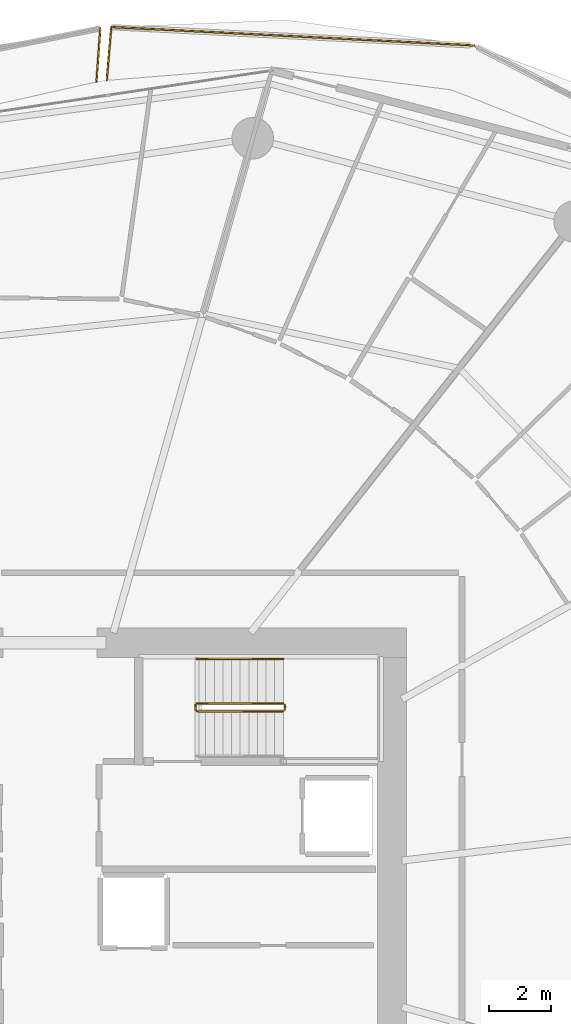
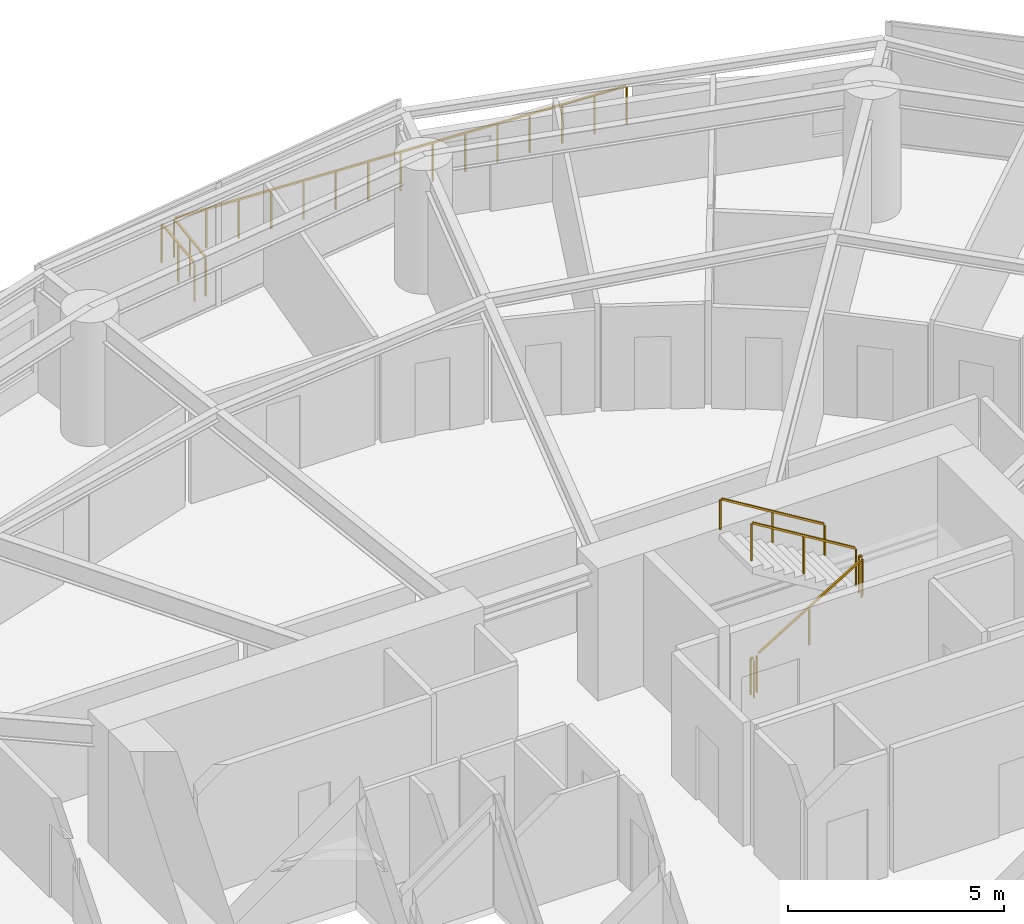
# One storey, part 30 of 31: 8 railings.
"""IFC4 building model written with IfcOpenShell, lengths in metres."""

from ifc_helpers import new_model, si_unit, direction, frame, origin, origin_2d, place, context, subcontext, project, spatial, rectangle, extrude, material, type_object, element, save


model = new_model("IFC4")

# Units and contexts
model_context = context("Model", 3, precision=1e-05, world=origin(), true_north=direction((0.0, 1.0)))
body_context = subcontext(model_context, "Body", "Model", "MODEL_VIEW")
ifc_project = project(units=[si_unit("LENGTHUNIT", "METRE"), si_unit("AREAUNIT", "SQUARE_METRE"), si_unit("VOLUMEUNIT", "CUBIC_METRE"), si_unit("PLANEANGLEUNIT", "RADIAN"), si_unit("MASSUNIT", "GRAM", prefix="KILO")], contexts=[model_context])

# Site, building, storey
site_placement = place(None, origin())
site = spatial("IfcSite", under=ifc_project, at=site_placement, CompositionType="ELEMENT")
building_placement = place(site_placement, origin())
building = spatial("IfcBuilding", under=site, at=building_placement, Name="Kazma Halo Residences", CompositionType="ELEMENT")
storey_placement = place(building_placement, frame((0.0, 0.0, 52.64990234375)))
storey = spatial("IfcBuildingStorey", under=building, at=storey_placement, Name="L12", CompositionType="ELEMENT", Elevation=52.64990234375)

# Railings
ifc_material_1 = material(Name="Aluminium AW-6063 T6 Brushed Cap Rail", Category="aluminium")
railing_type_1 = type_object("IfcRailingType", Name="RLG-BAL-CAP-1120", PredefinedType="BALUSTRADE", material=ifc_material_1)
railing_1_placement = place(storey_placement, frame((62.196044921875, 69.861328125, 0.0)))
element("IfcRailing", 1, at=railing_1_placement, inside=storey, type_object=railing_type_1, Name="L12 NE wave balcony guard 3", PredefinedType="BALUSTRADE", context=body_context, shape_type="SweptSolid", body=[
    extrude(rectangle(XDim=0.050048828125, YDim=0.050048828125, at=origin_2d()), frame((-0.04248046875, 0.002197265625, 1.09521484375), z_axis=(-0.998712596491, 0.050726222107, 0.0), x_axis=(-0.050726222107, -0.998712596491, 0.0)), (0.0, 0.0, 1.0), 11.71142578125),
    extrude(rectangle(XDim=0.0400390625, YDim=0.0400390625, at=origin_2d()), origin(), (0.0, 0.0, 1.0), 1.05810546875),
    extrude(rectangle(XDim=0.0400390625, YDim=0.0400390625, at=origin_2d()), frame((-0.841552734375, 0.042724609375, 0.0)), (0.0, 0.0, 1.0), 1.05810546875),
    extrude(rectangle(XDim=0.0400390625, YDim=0.0400390625, at=origin_2d()), frame((-1.68310546875, 0.08544921875, 0.0)), (0.0, 0.0, 1.0), 1.05810546875),
    extrude(rectangle(XDim=0.0400390625, YDim=0.0400390625, at=origin_2d()), frame((-2.524658203125, 0.128173828125, 0.0)), (0.0, 0.0, 1.0), 1.05810546875),
    extrude(rectangle(XDim=0.0400390625, YDim=0.0400390625, at=origin_2d()), frame((-3.365966796875, 0.1708984375, 0.0)), (0.0, 0.0, 1.0), 1.05810546875),
    extrude(rectangle(XDim=0.0400390625, YDim=0.0400390625, at=origin_2d()), frame((-4.20751953125, 0.213623046875, 0.0)), (0.0, 0.0, 1.0), 1.05810546875),
    extrude(rectangle(XDim=0.0400390625, YDim=0.0400390625, at=origin_2d()), frame((-5.049072265625, 0.25634765625, 0.0)), (0.0, 0.0, 1.0), 1.05810546875),
    extrude(rectangle(XDim=0.0400390625, YDim=0.0400390625, at=origin_2d()), frame((-5.890625, 0.29931640625, 0.0)), (0.0, 0.0, 1.0), 1.05810546875),
    extrude(rectangle(XDim=0.0400390625, YDim=0.0400390625, at=origin_2d()), frame((-6.732177734375, 0.342041015625, 0.0)), (0.0, 0.0, 1.0), 1.05810546875),
    extrude(rectangle(XDim=0.0400390625, YDim=0.0400390625, at=origin_2d()), frame((-7.57373046875, 0.384765625, 0.0)), (0.0, 0.0, 1.0), 1.05810546875),
    extrude(rectangle(XDim=0.0400390625, YDim=0.0400390625, at=origin_2d()), frame((-8.415283203125, 0.427490234375, 0.0)), (0.0, 0.0, 1.0), 1.05810546875),
    extrude(rectangle(XDim=0.0400390625, YDim=0.0400390625, at=origin_2d()), frame((-9.256591796875, 0.47021484375, 0.0)), (0.0, 0.0, 1.0), 1.05810546875),
    extrude(rectangle(XDim=0.0400390625, YDim=0.0400390625, at=origin_2d()), frame((-10.09814453125, 0.512939453125, 0.0)), (0.0, 0.0, 1.0), 1.05810546875),
    extrude(rectangle(XDim=0.0400390625, YDim=0.0400390625, at=origin_2d()), frame((-10.939697265625, 0.5556640625, 0.0)), (0.0, 0.0, 1.0), 1.05810546875),
    extrude(rectangle(XDim=0.0400390625, YDim=0.0400390625, at=origin_2d()), frame((-11.78125, 0.598388671875, 0.0)), (0.0, 0.0, 1.0), 1.05810546875),
])
railing_2_placement = place(storey_placement, frame((50.414794921875, 70.459716796875, 0.0)))
element("IfcRailing", 2, at=railing_2_placement, inside=storey, type_object=railing_type_1, Name="L12 NE wave balcony guard 4", PredefinedType="BALUSTRADE", context=body_context, shape_type="SweptSolid", body=[
    extrude(rectangle(XDim=0.050048828125, YDim=0.050048828125, at=origin_2d()), frame((-0.003662109375, -0.04248046875, 1.09521484375), z_axis=(-0.084511701188, -0.996422486881, 0.0), x_axis=(0.996422486881, -0.084511701188, 0.0)), (0.0, 0.0, 1.0), 1.651123046875),
    extrude(rectangle(XDim=0.0400390625, YDim=0.0400390625, at=origin_2d()), origin(), (0.0, 0.0, 1.0), 1.05810546875),
    extrude(rectangle(XDim=0.0400390625, YDim=0.0400390625, at=origin_2d()), frame((-0.0732421875, -0.864990234375, 0.0)), (0.0, 0.0, 1.0), 1.05810546875),
    extrude(rectangle(XDim=0.0400390625, YDim=0.0400390625, at=origin_2d()), frame((-0.146728515625, -1.72998046875, 0.0)), (0.0, 0.0, 1.0), 1.05810546875),
])
railing_3_placement = place(storey_placement, frame((49.935791015625, 68.679931640625, 0.0)))
element("IfcRailing", 3, at=railing_3_placement, inside=storey, type_object=railing_type_1, Name="L12 NNW wave balcony guard 1", PredefinedType="BALUSTRADE", context=body_context, shape_type="SweptSolid", body=[
    extrude(rectangle(XDim=0.050048828125, YDim=0.050048828125, at=origin_2d()), frame((0.003173828125, 0.04248046875, 1.09521484375), z_axis=(0.072350928263, 0.997379237391, 0.0), x_axis=(-0.997379237391, 0.072350928263, 0.0)), (0.0, 0.0, 1.0), 1.659423828125),
    extrude(rectangle(XDim=0.0400390625, YDim=0.0400390625, at=origin_2d()), origin(), (0.0, 0.0, 1.0), 1.05810546875),
    extrude(rectangle(XDim=0.0400390625, YDim=0.0400390625, at=origin_2d()), frame((0.06298828125, 0.8701171875, 0.0)), (0.0, 0.0, 1.0), 1.05810546875),
    extrude(rectangle(XDim=0.0400390625, YDim=0.0400390625, at=origin_2d()), frame((0.126220703125, 1.739990234375, 0.0)), (0.0, 0.0, 1.0), 1.05810546875),
])
ifc_material_2 = material(Name="Painted Steel S355", Category="steel")
railing_type_2 = type_object("IfcRailingType", Name="RLG-STAIR-GRD-1100", PredefinedType="GUARDRAIL", material=ifc_material_2)
railing_4_placement = place(storey_placement, frame((53.199951171875, 48.25, 0.170654296875)))
element("IfcRailing", 4, at=railing_4_placement, inside=storey, type_object=railing_type_2, Name="L12 ST-02 stair guard 1", PredefinedType="GUARDRAIL", context=body_context, shape_type="SweptSolid", body=[
    extrude(rectangle(XDim=0.050048828125, YDim=0.050048828125, at=origin_2d()), frame((0.036376953125, 0.0, 1.09716796875), z_axis=(0.854202870247, 0.0, 0.519939858505), x_axis=(0.0, 1.0, 0.0)), (0.0, 0.0, 1.0), 3.19287109375),
    extrude(rectangle(XDim=0.0400390625, YDim=0.0400390625, at=origin_2d()), origin(), (0.0, 0.0, 1.0), 1.0380859375),
    extrude(rectangle(XDim=0.0400390625, YDim=0.0400390625, at=origin_2d()), frame((1.39990234375, 0.0, 0.85205078125)), (0.0, 0.0, 1.0), 1.0380859375),
    extrude(rectangle(XDim=0.0400390625, YDim=0.0400390625, at=origin_2d()), frame((2.800048828125, 0.0, 1.704345703125)), (0.0, 0.0, 1.0), 1.0380859375),
])
railing_5_placement = place(storey_placement, frame((56.050048828125, 48.300048828125, 1.875)))
element("IfcRailing", 5, at=railing_5_placement, inside=storey, type_object=railing_type_2, Name="L12 ST-02 stair guard 2", PredefinedType="GUARDRAIL", context=body_context, shape_type="SweptSolid", body=[
    extrude(rectangle(XDim=0.050048828125, YDim=0.050048828125, at=origin_2d()), frame((0.0, 0.04248046875, 1.0751953125), z_axis=(0.0, 1.0, 0.0), x_axis=(-1.0, 0.0, 0.0)), (0.0, 0.0, 1.0), 0.06494140625),
    extrude(rectangle(XDim=0.0400390625, YDim=0.0400390625, at=origin_2d()), origin(), (0.0, 0.0, 1.0), 1.0380859375),
    extrude(rectangle(XDim=0.0400390625, YDim=0.0400390625, at=origin_2d()), frame((0.0, 0.14990234375, 0.0)), (0.0, 0.0, 1.0), 1.0380859375),
])
railing_6_placement = place(storey_placement, frame((56.0, 48.5, 2.045654296875)))
element("IfcRailing", 6, at=railing_6_placement, inside=storey, type_object=railing_type_2, Name="L12 ST-02 stair guard 3", PredefinedType="GUARDRAIL", context=body_context, shape_type="SweptSolid", body=[
    extrude(rectangle(XDim=0.050048828125, YDim=0.050048828125, at=origin_2d()), frame((-0.036376953125, 0.0, 1.09716796875), z_axis=(-0.854202870247, 0.0, 0.519939858505), x_axis=(0.0, -1.0, 0.0)), (0.0, 0.0, 1.0), 3.19287109375),
    extrude(rectangle(XDim=0.0400390625, YDim=0.0400390625, at=origin_2d()), origin(), (0.0, 0.0, 1.0), 1.0380859375),
    extrude(rectangle(XDim=0.0400390625, YDim=0.0400390625, at=origin_2d()), frame((-1.39990234375, 0.0, 0.85205078125)), (0.0, 0.0, 1.0), 1.0380859375),
    extrude(rectangle(XDim=0.0400390625, YDim=0.0400390625, at=origin_2d()), frame((-2.800048828125, 0.0, 1.704345703125)), (0.0, 0.0, 1.0), 1.0380859375),
])
railing_7_placement = place(storey_placement, frame((53.14990234375, 48.300048828125, 0.0)))
element("IfcRailing", 7, at=railing_7_placement, inside=storey, type_object=railing_type_2, Name="L12 ST-02 stair guard 4", PredefinedType="GUARDRAIL", context=body_context, shape_type="SweptSolid", body=[
    extrude(rectangle(XDim=0.050048828125, YDim=0.050048828125, at=origin_2d()), frame((0.0, 0.04248046875, 1.0751953125), z_axis=(0.0, 1.0, 0.0), x_axis=(-1.0, 0.0, 0.0)), (0.0, 0.0, 1.0), 0.06494140625),
    extrude(rectangle(XDim=0.0400390625, YDim=0.0400390625, at=origin_2d()), origin(), (0.0, 0.0, 1.0), 1.0380859375),
    extrude(rectangle(XDim=0.0400390625, YDim=0.0400390625, at=origin_2d()), frame((0.0, 0.14990234375, 0.0)), (0.0, 0.0, 1.0), 1.0380859375),
])
ifc_material_3 = material(Name="Brushed Stainless Steel", Category="steel")
railing_type_3 = type_object("IfcRailingType", Name="RLG-STAIR-HND-900", PredefinedType="HANDRAIL", material=ifc_material_3)
railing_8_placement = place(storey_placement, frame((56.0, 49.949951171875, 2.045654296875)))
element("IfcRailing", 8, at=railing_8_placement, inside=storey, type_object=railing_type_3, Name="L12 ST-02 stair handrail 2", PredefinedType="HANDRAIL", context=body_context, shape_type="SweptSolid", body=[
    extrude(rectangle(XDim=0.050048828125, YDim=0.050048828125, at=origin_2d()), frame((-0.036376953125, 0.0, 0.89697265625), z_axis=(-0.854202870247, 0.0, 0.519939858505), x_axis=(0.0, -1.0, 0.0)), (0.0, 0.0, 1.0), 3.19287109375),
    extrude(rectangle(XDim=0.0400390625, YDim=0.0400390625, at=origin_2d()), origin(), (0.0, 0.0, 1.0), 0.837890625),
    extrude(rectangle(XDim=0.0400390625, YDim=0.0400390625, at=origin_2d()), frame((-1.39990234375, 0.0, 0.85205078125)), (0.0, 0.0, 1.0), 0.837890625),
    extrude(rectangle(XDim=0.0400390625, YDim=0.0400390625, at=origin_2d()), frame((-2.800048828125, 0.0, 1.704345703125)), (0.0, 0.0, 1.0), 0.837890625),
])

save(model, "model.ifc")
